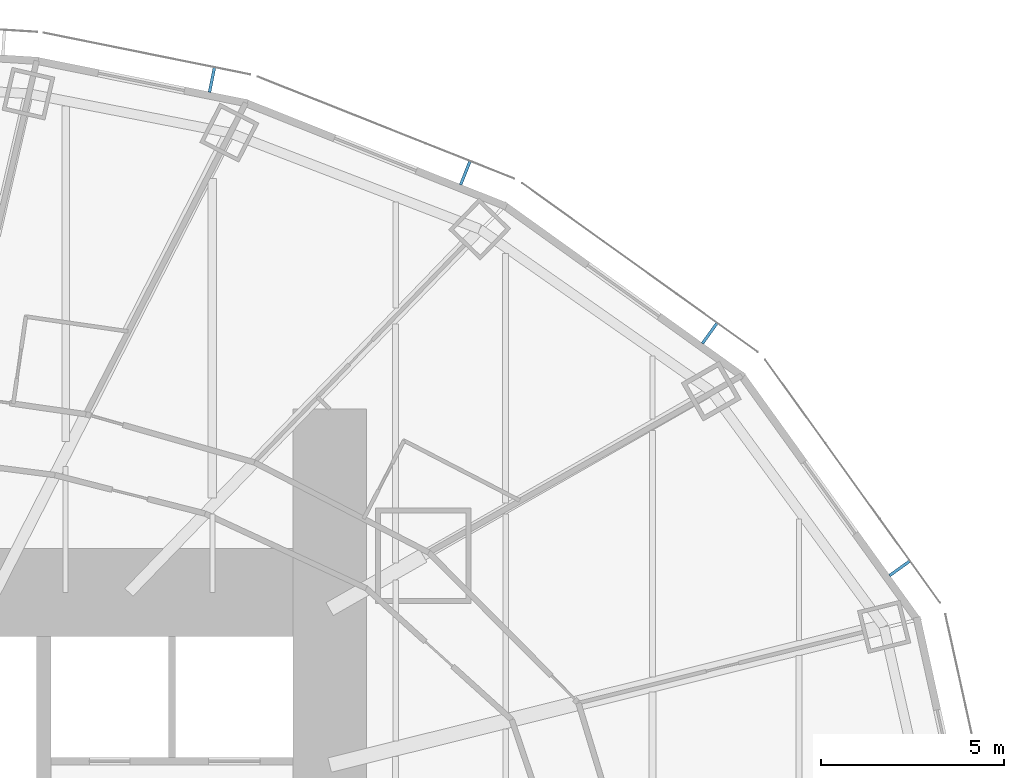
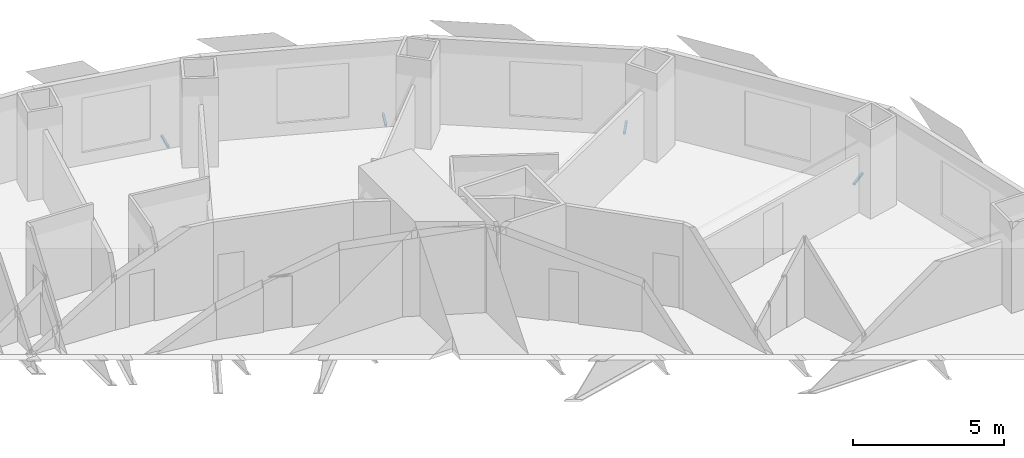
# One storey, part 12 of 15: 4 discrete accessories.
"""IFC4 building model written with IfcOpenShell, lengths in metres."""

from ifc_helpers import new_model, si_unit, direction, frame, origin, origin_2d, place, context, subcontext, project, spatial, rectangle, extrude, element, save


model = new_model("IFC4")

# Units and contexts
model_context = context("Model", 3, precision=1e-05, world=origin(), true_north=direction((0.0, 1.0)))
body_context = subcontext(model_context, "Body", "Model", "MODEL_VIEW")
ifc_project = project(units=[si_unit("LENGTHUNIT", "METRE"), si_unit("AREAUNIT", "SQUARE_METRE"), si_unit("VOLUMEUNIT", "CUBIC_METRE"), si_unit("PLANEANGLEUNIT", "RADIAN"), si_unit("MASSUNIT", "GRAM", prefix="KILO")], contexts=[model_context])

# Site, building, storey
site_placement = place(None, origin())
site = spatial("IfcSite", under=ifc_project, at=site_placement, CompositionType="ELEMENT")
building_placement = place(site_placement, origin())
building = spatial("IfcBuilding", under=site, at=building_placement, Name="Lantaw Convention Tower", CompositionType="ELEMENT")
storey_placement = place(building_placement, frame((0.0, 0.0, 47.800048828125)))
storey = spatial("IfcBuildingStorey", under=building, at=storey_placement, Name="L09", CompositionType="ELEMENT", Elevation=47.800048828125)

# Discrete accessories
for number, where, z_axis, x_axis, name in (
    (1, (28.745849609375, 8.65869140625, -0.114990234375), (0.0, 0.0, 1.0), (-0.583951250436, 0.811788726895, 0.0), "Screen bracket"),
    (2, (23.564453125, 15.06640625, -0.114990234375), (0.0, 0.0, 1.0), (-0.812803733199, 0.5825376308, 0.0), "Screen bracket"),
    (3, (16.898193359375, 19.4345703125, -0.114990234375), (0.0, 0.0, 1.0), (-0.929361152748, 0.369171840425, 0.0), "Screen bracket"),
    (4, (9.990478515625, 21.974365234375, -0.114990234375), (0.0, 0.0, 1.0), (-0.980244604501, 0.197789067813, 0.0), "Screen bracket"),
):
    element("IfcDiscreteAccessory", number, at=place(storey_placement, frame(where, z_axis=z_axis, x_axis=x_axis)), inside=storey, Name=name, PredefinedType="BRACKET", context=body_context, shape_type="SweptSolid", body=[
        extrude(rectangle(XDim=0.080078125, YDim=0.68798828125, at=origin_2d()), origin(), (0.0, 0.0, 1.0), 0.080078125),
    ])

save(model, "model.ifc")
